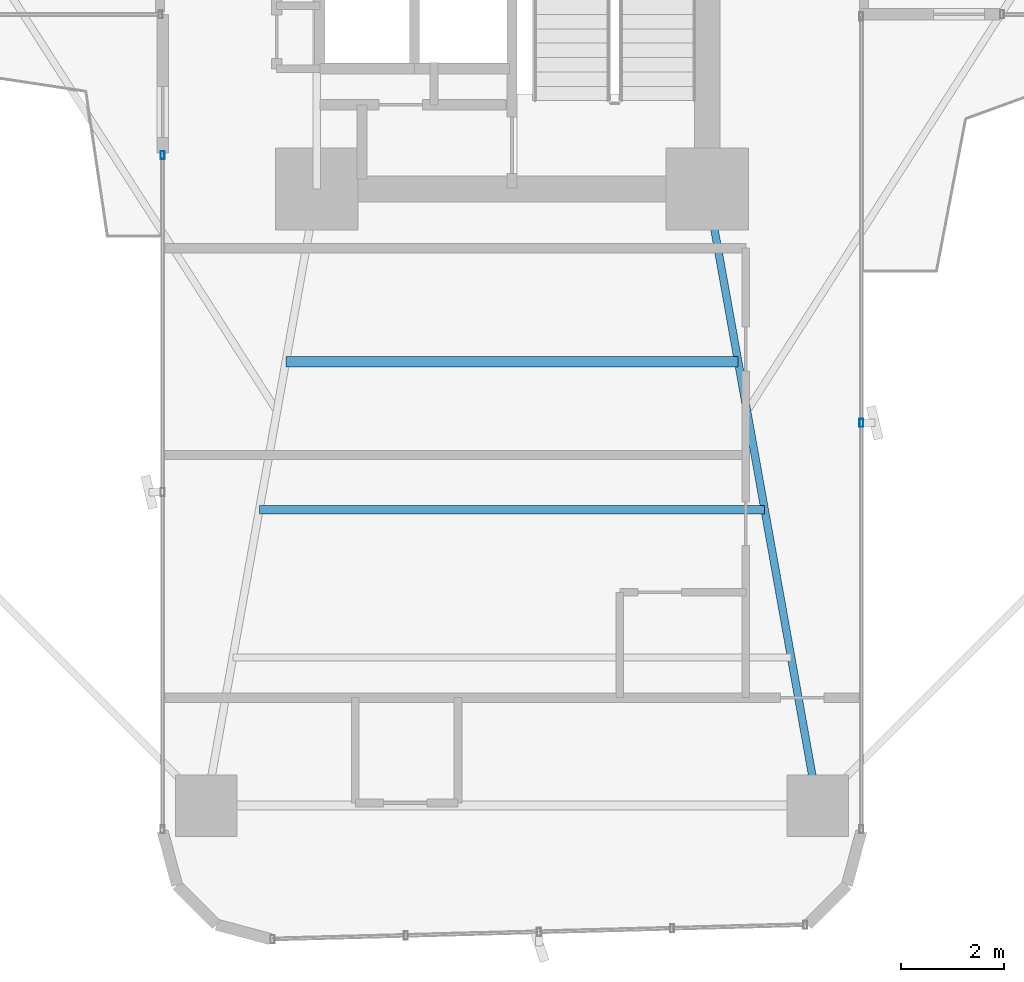
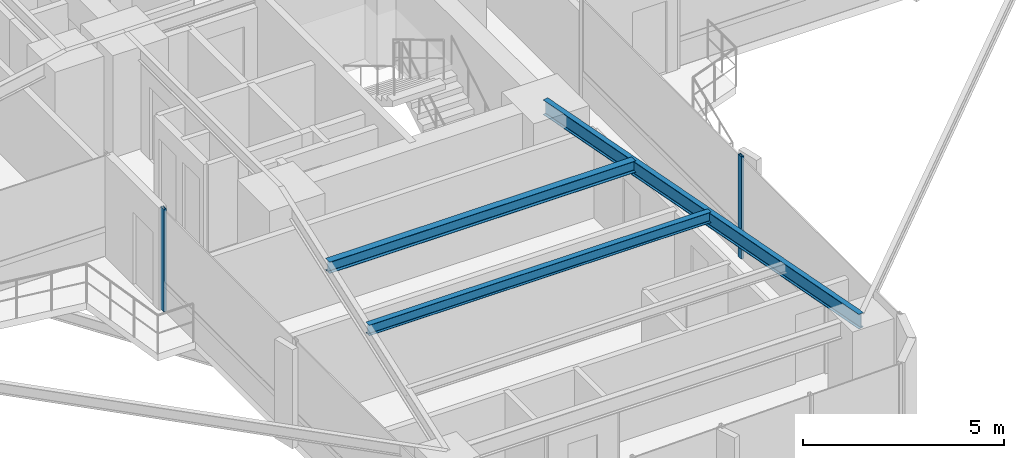
# One storey, part 4 of 26: 3 beams, 2 members, 2 elements without a shape of their own.
"""IFC4 building model written with IfcOpenShell, lengths in metres."""

from ifc_helpers import new_model, si_unit, direction, frame, origin, origin_2d, place, context, subcontext, project, spatial, hollow_rectangle, i_section, extrude, source, transform, mapped, material, material_profile, profile_set, type_object, element, aggregate, save


model = new_model("IFC4")

# Units and contexts
model_context = context("Model", 3, precision=1e-05, world=origin(), true_north=direction((0.0, 1.0)))
body_context = subcontext(model_context, "Body", "Model", "MODEL_VIEW")
ifc_project = project(units=[si_unit("LENGTHUNIT", "METRE"), si_unit("AREAUNIT", "SQUARE_METRE"), si_unit("VOLUMEUNIT", "CUBIC_METRE"), si_unit("PLANEANGLEUNIT", "RADIAN"), si_unit("MASSUNIT", "GRAM", prefix="KILO")], contexts=[model_context])

# Site, building, storey
site_placement = place(None, origin())
site = spatial("IfcSite", under=ifc_project, at=site_placement, CompositionType="ELEMENT")
building_placement = place(site_placement, origin())
building = spatial("IfcBuilding", under=site, at=building_placement, Name="Sahyath Konkavel Grand Hotel", CompositionType="ELEMENT")
storey_placement = place(building_placement, frame((0.0, 0.0, 29.800048828125)))
storey = spatial("IfcBuildingStorey", under=building, at=storey_placement, Name="L07", CompositionType="ELEMENT", Elevation=29.800048828125)

# Beams
ifc_material_1 = material(Name="Steel E350", Category="steel")
ifc_material_profile_1 = material_profile(ifc_material_1, i_section(OverallWidth=0.14990234375, OverallDepth=0.449951171875, WebThickness=0.009521484375, FlangeThickness=0.017333984375, FilletRadius=0.014892578125, at=origin_2d()), Name="ISMB 450")
ifc_profile_set_1 = profile_set([ifc_material_profile_1], Name="Steel E350")
beam_type_1 = type_object("IfcBeamType", Name="BM-ISMB450", PredefinedType="BEAM", material=ifc_profile_set_1)
shared_shape_1 = source(origin(), body_context, "Body", "SweptSolid", [
    extrude(i_section(OverallWidth=0.14990234375, OverallDepth=0.449951171875, WebThickness=0.009521484375, FlangeThickness=0.017333984375, FilletRadius=0.014892578125, at=origin_2d()), origin(), (0.0, 0.0, 1.0), 12.191162109375),
])
beam_1_placement = place(storey_placement, frame((3.800048828125, -10.199951171875, 2.885009765625), z_axis=(0.176350650305, -0.984327409014, 0.0), x_axis=(0.984327409014, 0.176350650305, 0.0)))
element("IfcBeam", 1, at=beam_1_placement, inside=storey, type_object=beam_type_1, Name="L07 Cruciform Radial Girder SB", PredefinedType="BEAM", context=body_context, shape_type="MappedRepresentation", body=[
    mapped(shared_shape_1, transform((0.0, 0.0, 0.0), scale=1.0)),
])
ifc_material_profile_2 = material_profile(ifc_material_1, i_section(OverallWidth=0.199951171875, OverallDepth=0.35009765625, WebThickness=0.008056640625, FlangeThickness=0.011474609375, FilletRadius=0.013916015625, at=origin_2d()), Name="ISWB 350")
ifc_profile_set_2 = profile_set([ifc_material_profile_2], Name="Steel E350")
beam_type_2 = type_object("IfcBeamType", Name="BM-ISWB350", PredefinedType="BEAM", material=ifc_profile_set_2)
shared_shape_2 = source(origin(), body_context, "Body", "SweptSolid", [
    extrude(i_section(OverallWidth=0.199951171875, OverallDepth=0.35009765625, WebThickness=0.008056640625, FlangeThickness=0.011474609375, FilletRadius=0.013916015625, at=origin_2d()), origin(), (0.0, 0.0, 1.0), 8.80419921875),
])
beam_2_placement = place(storey_placement, frame((-4.402099609375, -13.56005859375, 2.93505859375), z_axis=(1.0, 0.0, 0.0), x_axis=(0.0, 1.0, 0.0)))
element("IfcBeam", 2, at=beam_2_placement, inside=storey, type_object=beam_type_2, Name="L07 Secondary Floor Beam S-1", PredefinedType="BEAM", context=body_context, shape_type="MappedRepresentation", body=[
    mapped(shared_shape_2, transform((0.0, 0.0, 0.0), scale=1.0)),
])
ifc_material_profile_3 = material_profile(ifc_material_1, i_section(OverallWidth=0.1650390625, OverallDepth=0.324951171875, WebThickness=0.007080078125, FlangeThickness=0.009765625, FilletRadius=0.014892578125, at=origin_2d()), Name="ISLB 325")
ifc_profile_set_3 = profile_set([ifc_material_profile_3], Name="Steel E350")
beam_type_3 = type_object("IfcBeamType", Name="BM-ISLB325", PredefinedType="BEAM", material=ifc_profile_set_3)
shared_shape_3 = source(origin(), body_context, "Body", "SweptSolid", [
    extrude(i_section(OverallWidth=0.1650390625, OverallDepth=0.324951171875, WebThickness=0.007080078125, FlangeThickness=0.009765625, FilletRadius=0.014892578125, at=origin_2d()), origin(), (0.0, 0.0, 1.0), 9.8359375),
])
beam_3_placement = place(storey_placement, frame((-4.91796875, -16.43994140625, 2.947509765625), z_axis=(1.0, 0.0, 0.0), x_axis=(0.0, 1.0, 0.0)))
element("IfcBeam", 3, at=beam_3_placement, inside=storey, type_object=beam_type_3, Name="L07 Secondary Floor Beam S-2", PredefinedType="BEAM", context=body_context, shape_type="MappedRepresentation", body=[
    mapped(shared_shape_3, transform((0.0, 0.0, 0.0), scale=1.0)),
])

# Curtain wall, member
ifc_material_2 = material(Name="Anodised Bronze Aluminium & Low-E Glazing", Category="aluminium")
curtain_wall_type = type_object("IfcCurtainWallType", Name="CW-ZONE1", PredefinedType="NOTDEFINED", material=ifc_material_2)
curtain_wall_1_placement = place(storey_placement, origin())
curtain_wall_1 = element("IfcCurtainWall", 4, at=curtain_wall_1_placement, inside=storey, type_object=curtain_wall_type, Name="L07 Unitised Curtain Wall F24", PredefinedType="NOTDEFINED")
ifc_material_3 = material(Name="Anodised Bronze Aluminium", Category="aluminium")
ifc_material_profile_4 = material_profile(ifc_material_3, hollow_rectangle(XDim=0.080078125, YDim=0.159912109375, WallThickness=0.006103515625, at=origin_2d()), Name="RHS 160x80x6")
ifc_profile_set_4 = profile_set([ifc_material_profile_4], Name="Anodised Bronze Aluminium")
member_type = type_object("IfcMemberType", Name="CW-MUL-160", PredefinedType="MULLION", material=ifc_profile_set_4)
shared_shape_4 = source(origin(), body_context, "Body", "SweptSolid", [
    extrude(hollow_rectangle(XDim=0.080078125, YDim=0.159912109375, WallThickness=0.006103515625, at=origin_2d()), origin(), (0.0, 0.0, 1.0), 3.10986328125),
])
member_1_placement = place(storey_placement, frame((-6.800048828125, -9.5400390625, 0.0), z_axis=(0.0, 0.0, 1.0), x_axis=(1.0, 0.0, 0.0)))
member_1 = element("IfcMember", 5, at=member_1_placement, type_object=member_type, Name="L07 Curtain Wall Mullion F24-0", PredefinedType="MULLION", context=body_context, shape_type="MappedRepresentation", body=[
    mapped(shared_shape_4, transform((0.0, 0.0, 0.0), scale=1.0)),
])
aggregate(curtain_wall_1, [member_1])

curtain_wall_2_placement = place(storey_placement, origin())
curtain_wall_2 = element("IfcCurtainWall", 6, at=curtain_wall_2_placement, inside=storey, type_object=curtain_wall_type, Name="L07 Unitised Curtain Wall F31", PredefinedType="NOTDEFINED")
member_2_placement = place(storey_placement, frame((6.800048828125, -14.75, 0.0), z_axis=(0.0, 0.0, 1.0), x_axis=(1.0, 0.0, 0.0)))
member_2 = element("IfcMember", 7, at=member_2_placement, type_object=member_type, Name="L07 Curtain Wall Mullion F31-1", PredefinedType="MULLION", context=body_context, shape_type="MappedRepresentation", body=[
    mapped(shared_shape_4, transform((0.0, 0.0, 0.0), scale=1.0)),
])
aggregate(curtain_wall_2, [member_2])

save(model, "model.ifc")
